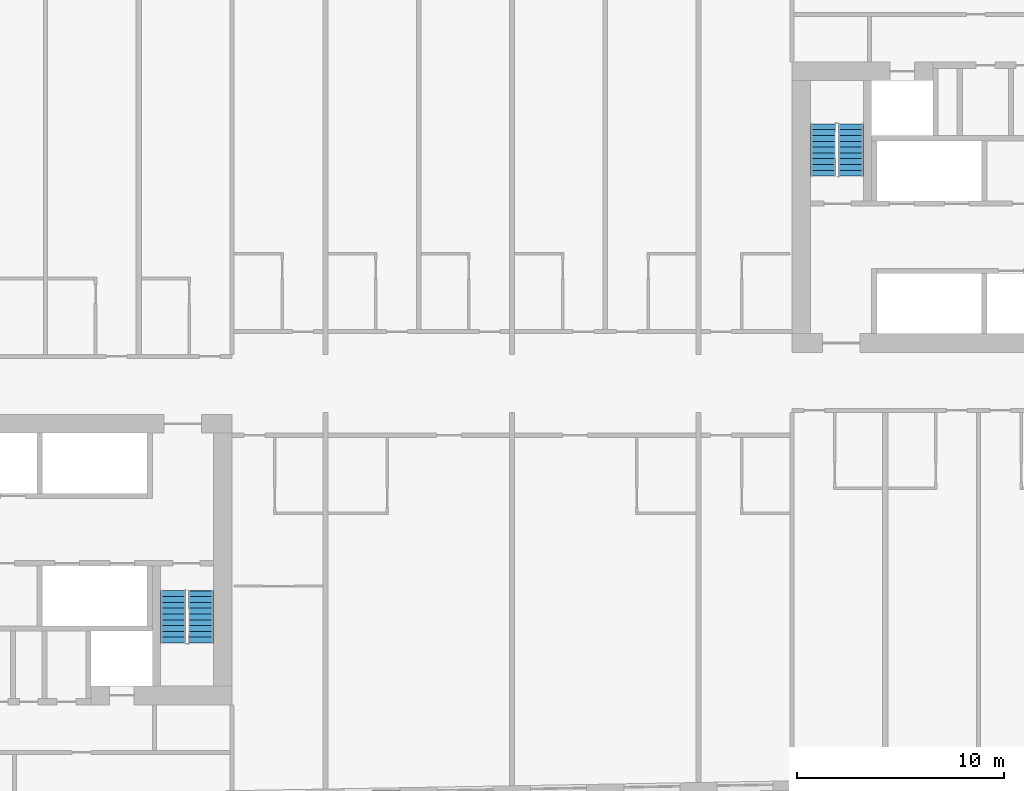
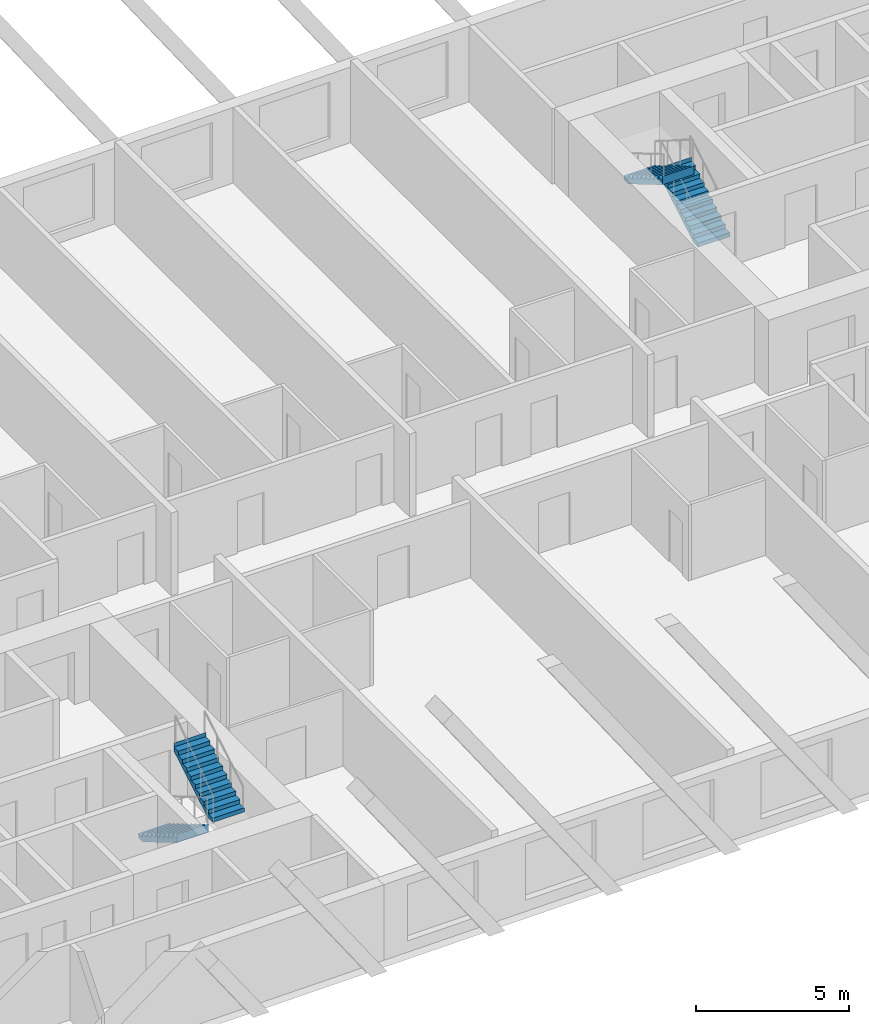
# One storey, part 10 of 13: 4 stair flights, 2 elements without a shape of their own.
"""IFC4 building model written with IfcOpenShell, lengths in metres."""

from ifc_helpers import new_model, si_unit, direction, frame, origin, place, context, subcontext, project, spatial, faceted_brep, material, type_object, element, aggregate, save


model = new_model("IFC4")

# Units and contexts
model_context = context("Model", 3, precision=1e-05, world=origin(), true_north=direction((0.0, 1.0)))
body_context = subcontext(model_context, "Body", "Model", "MODEL_VIEW")
ifc_project = project(units=[si_unit("LENGTHUNIT", "METRE"), si_unit("AREAUNIT", "SQUARE_METRE"), si_unit("VOLUMEUNIT", "CUBIC_METRE"), si_unit("PLANEANGLEUNIT", "RADIAN"), si_unit("MASSUNIT", "GRAM", prefix="KILO")], contexts=[model_context])

# Site, building, storey
site_placement = place(None, origin())
site = spatial("IfcSite", under=ifc_project, at=site_placement, CompositionType="ELEMENT")
building_placement = place(site_placement, origin())
building = spatial("IfcBuilding", under=site, at=building_placement, Name="Kajstack Hotel Tower", CompositionType="ELEMENT")
storey_placement = place(building_placement, frame((0.0, 0.0, 237.5)))
storey = spatial("IfcBuildingStorey", under=building, at=storey_placement, Name="L58", CompositionType="ELEMENT", Elevation=237.5)

# Stair, stair flights
ifc_material = material(Name="Concrete C40/50", Category="concrete")
stair_type = type_object("IfcStairType", Name="Exit stair 1200", PredefinedType="HALF_TURN_STAIR", material=ifc_material)
stair_1_placement = place(storey_placement, origin())
stair_1 = element("IfcStair", 1, at=stair_1_placement, inside=storey, type_object=stair_type, Name="L58 stair W2", PredefinedType="HALF_TURN_STAIR")
stair_flight_type = type_object("IfcStairFlightType", Name="Exit stair flight 1200", PredefinedType="STRAIGHT", material=ifc_material)
stair_flight_1_placement = place(storey_placement, frame((-16.35009765625, -10.0, 0.0), z_axis=(0.0, 0.0, 1.0), x_axis=(0.0, -1.0, 0.0)))
stair_flight_1 = element("IfcStairFlight", 2, at=stair_flight_1_placement, type_object=stair_flight_type, Name="W2 flight 1", NumberOfRisers=10, NumberOfTreads=9, PredefinedType="STRAIGHT", RiserHeight=0.165, TreadLength=0.28, context=body_context, shape_type="Brep", body=[
    faceted_brep([(0.295654296875, -0.60009765625, 0.0), (2.5205078125, -0.60009765625, 1.31103515625), (2.5205078125, -0.60009765625, 1.64990234375), (2.52001953125, -0.60009765625, 1.64990234375), (2.52001953125, -0.60009765625, 1.485107421875), (2.239990234375, -0.60009765625, 1.485107421875), (2.239990234375, -0.60009765625, 1.320068359375), (1.9599609375, -0.60009765625, 1.320068359375), (1.9599609375, -0.60009765625, 1.155029296875), (1.679931640625, -0.60009765625, 1.155029296875), (1.679931640625, -0.60009765625, 0.989990234375), (1.39990234375, -0.60009765625, 0.989990234375), (1.39990234375, -0.60009765625, 0.824951171875), (1.1201171875, -0.60009765625, 0.824951171875), (1.1201171875, -0.60009765625, 0.659912109375), (0.840087890625, -0.60009765625, 0.659912109375), (0.840087890625, -0.60009765625, 0.4951171875), (0.56005859375, -0.60009765625, 0.4951171875), (0.56005859375, -0.60009765625, 0.330078125), (0.280029296875, -0.60009765625, 0.330078125), (0.280029296875, -0.60009765625, 0.1650390625), (-0.00048828125, -0.60009765625, 0.1650390625), (-0.00048828125, -0.60009765625, 0.0), (-0.00048828125, 0.60009765625, 0.0), (-0.00048828125, 0.60009765625, 0.1650390625), (0.280029296875, 0.60009765625, 0.1650390625), (0.280029296875, 0.60009765625, 0.330078125), (0.56005859375, 0.60009765625, 0.330078125), (0.56005859375, 0.60009765625, 0.4951171875), (0.840087890625, 0.60009765625, 0.4951171875), (0.840087890625, 0.60009765625, 0.659912109375), (1.1201171875, 0.60009765625, 0.659912109375), (1.1201171875, 0.60009765625, 0.824951171875), (1.39990234375, 0.60009765625, 0.824951171875), (1.39990234375, 0.60009765625, 0.989990234375), (1.679931640625, 0.60009765625, 0.989990234375), (1.679931640625, 0.60009765625, 1.155029296875), (1.9599609375, 0.60009765625, 1.155029296875), (1.9599609375, 0.60009765625, 1.320068359375), (2.239990234375, 0.60009765625, 1.320068359375), (2.239990234375, 0.60009765625, 1.485107421875), (2.52001953125, 0.60009765625, 1.485107421875), (2.52001953125, 0.60009765625, 1.64990234375), (2.5205078125, 0.60009765625, 1.64990234375), (2.5205078125, 0.60009765625, 1.31103515625), (0.295654296875, 0.60009765625, 0.0), (-0.00048828125, -0.300048828125, 0.1650390625), (-0.00048828125, 0.0, 0.1650390625), (-0.00048828125, 0.300048828125, 0.1650390625), (-0.00048828125, 0.300048828125, 0.0), (-0.00048828125, 0.0, 0.0), (-0.00048828125, -0.300048828125, 0.0), (0.280029296875, -0.300048828125, 0.1650390625), (0.280029296875, 0.0, 0.1650390625), (0.280029296875, 0.300048828125, 0.1650390625), (0.280029296875, -0.300048828125, 0.330078125), (0.280029296875, 0.0, 0.330078125), (0.280029296875, 0.300048828125, 0.330078125), (0.56005859375, -0.300048828125, 0.330078125), (0.56005859375, 0.0, 0.330078125), (0.56005859375, 0.300048828125, 0.330078125), (0.56005859375, -0.300048828125, 0.4951171875), (0.56005859375, 0.0, 0.4951171875), (0.56005859375, 0.300048828125, 0.4951171875), (0.840087890625, -0.300048828125, 0.4951171875), (0.840087890625, 0.0, 0.4951171875), (0.840087890625, 0.300048828125, 0.4951171875), (0.840087890625, -0.300048828125, 0.659912109375), (0.840087890625, 0.0, 0.659912109375), (0.840087890625, 0.300048828125, 0.659912109375), (1.1201171875, -0.300048828125, 0.659912109375), (1.1201171875, 0.0, 0.659912109375), (1.1201171875, 0.300048828125, 0.659912109375), (1.1201171875, -0.300048828125, 0.824951171875), (1.1201171875, 0.0, 0.824951171875), (1.1201171875, 0.300048828125, 0.824951171875), (1.39990234375, -0.300048828125, 0.824951171875), (1.39990234375, 0.0, 0.824951171875), (1.39990234375, 0.300048828125, 0.824951171875), (1.39990234375, -0.300048828125, 0.989990234375), (1.39990234375, 0.0, 0.989990234375), (1.39990234375, 0.300048828125, 0.989990234375), (1.679931640625, -0.300048828125, 0.989990234375), (1.679931640625, 0.0, 0.989990234375), (1.679931640625, 0.300048828125, 0.989990234375), (1.679931640625, -0.300048828125, 1.155029296875), (1.679931640625, 0.0, 1.155029296875), (1.679931640625, 0.300048828125, 1.155029296875), (1.9599609375, -0.300048828125, 1.155029296875), (1.9599609375, 0.0, 1.155029296875), (1.9599609375, 0.300048828125, 1.155029296875), (1.9599609375, -0.300048828125, 1.320068359375), (1.9599609375, 0.0, 1.320068359375), (1.9599609375, 0.300048828125, 1.320068359375), (2.239990234375, -0.300048828125, 1.320068359375), (2.239990234375, 0.0, 1.320068359375), (2.239990234375, 0.300048828125, 1.320068359375), (2.239990234375, -0.300048828125, 1.485107421875), (2.239990234375, 0.0, 1.485107421875), (2.239990234375, 0.300048828125, 1.485107421875), (2.52001953125, -0.300048828125, 1.485107421875), (2.52001953125, 0.0, 1.485107421875), (2.52001953125, 0.300048828125, 1.485107421875), (2.52001953125, -0.300048828125, 1.64990234375), (2.52001953125, 0.0, 1.64990234375), (2.52001953125, 0.300048828125, 1.64990234375), (2.5205078125, -0.300048828125, 1.64990234375), (2.5205078125, 0.0, 1.64990234375), (2.5205078125, 0.300048828125, 1.64990234375), (2.5205078125, -0.300048828125, 1.31103515625), (2.5205078125, 0.0, 1.31103515625), (2.5205078125, 0.300048828125, 1.31103515625), (0.295654296875, -0.300048828125, 0.0), (0.295654296875, 0.0, 0.0), (0.295654296875, 0.300048828125, 0.0)], [[[0, 1, 2, 3, 4, 5, 6, 7, 8, 9, 10, 11, 12, 13, 14, 15, 16, 17, 18, 19, 20, 21, 22]], [[23, 24, 25, 26, 27, 28, 29, 30, 31, 32, 33, 34, 35, 36, 37, 38, 39, 40, 41, 42, 43, 44, 45]], [[21, 46, 47, 48, 24, 23, 49, 50, 51, 22]], [[20, 52, 53, 54, 25, 24, 48, 47, 46, 21]], [[19, 55, 56, 57, 26, 25, 54, 53, 52, 20]], [[18, 58, 59, 60, 27, 26, 57, 56, 55, 19]], [[17, 61, 62, 63, 28, 27, 60, 59, 58, 18]], [[16, 64, 65, 66, 29, 28, 63, 62, 61, 17]], [[15, 67, 68, 69, 30, 29, 66, 65, 64, 16]], [[14, 70, 71, 72, 31, 30, 69, 68, 67, 15]], [[13, 73, 74, 75, 32, 31, 72, 71, 70, 14]], [[12, 76, 77, 78, 33, 32, 75, 74, 73, 13]], [[11, 79, 80, 81, 34, 33, 78, 77, 76, 12]], [[10, 82, 83, 84, 35, 34, 81, 80, 79, 11]], [[9, 85, 86, 87, 36, 35, 84, 83, 82, 10]], [[8, 88, 89, 90, 37, 36, 87, 86, 85, 9]], [[7, 91, 92, 93, 38, 37, 90, 89, 88, 8]], [[6, 94, 95, 96, 39, 38, 93, 92, 91, 7]], [[5, 97, 98, 99, 40, 39, 96, 95, 94, 6]], [[4, 100, 101, 102, 41, 40, 99, 98, 97, 5]], [[3, 103, 104, 105, 42, 41, 102, 101, 100, 4]], [[2, 106, 107, 108, 43, 42, 105, 104, 103, 3]], [[1, 109, 110, 111, 44, 43, 108, 107, 106, 2]], [[0, 112, 113, 114, 45, 44, 111, 110, 109, 1]], [[22, 51, 50, 49, 23, 45, 114, 113, 112, 0]]]),
])
stair_flight_2_placement = place(storey_placement, frame((-15.0, -12.52001953125, 1.64990234375), z_axis=(0.0, 0.0, 1.0), x_axis=(0.0, 1.0, 0.0)))
stair_flight_2 = element("IfcStairFlight", 3, at=stair_flight_2_placement, type_object=stair_flight_type, Name="W2 flight 2", NumberOfRisers=10, NumberOfTreads=9, PredefinedType="STRAIGHT", RiserHeight=0.165, TreadLength=0.28, context=body_context, shape_type="Brep", body=[
    faceted_brep([(0.295654296875, -0.60009765625, 0.0), (2.5205078125, -0.60009765625, 1.31103515625), (2.5205078125, -0.60009765625, 1.64990234375), (2.52001953125, -0.60009765625, 1.64990234375), (2.52001953125, -0.60009765625, 1.485107421875), (2.239990234375, -0.60009765625, 1.485107421875), (2.239990234375, -0.60009765625, 1.320068359375), (1.9599609375, -0.60009765625, 1.320068359375), (1.9599609375, -0.60009765625, 1.155029296875), (1.679931640625, -0.60009765625, 1.155029296875), (1.679931640625, -0.60009765625, 0.989990234375), (1.39990234375, -0.60009765625, 0.989990234375), (1.39990234375, -0.60009765625, 0.824951171875), (1.1201171875, -0.60009765625, 0.824951171875), (1.1201171875, -0.60009765625, 0.659912109375), (0.840087890625, -0.60009765625, 0.659912109375), (0.840087890625, -0.60009765625, 0.4951171875), (0.56005859375, -0.60009765625, 0.4951171875), (0.56005859375, -0.60009765625, 0.330078125), (0.280029296875, -0.60009765625, 0.330078125), (0.280029296875, -0.60009765625, 0.1650390625), (-0.00048828125, -0.60009765625, 0.1650390625), (-0.00048828125, -0.60009765625, 0.0), (-0.00048828125, 0.60009765625, 0.0), (-0.00048828125, 0.60009765625, 0.1650390625), (0.280029296875, 0.60009765625, 0.1650390625), (0.280029296875, 0.60009765625, 0.330078125), (0.56005859375, 0.60009765625, 0.330078125), (0.56005859375, 0.60009765625, 0.4951171875), (0.840087890625, 0.60009765625, 0.4951171875), (0.840087890625, 0.60009765625, 0.659912109375), (1.1201171875, 0.60009765625, 0.659912109375), (1.1201171875, 0.60009765625, 0.824951171875), (1.39990234375, 0.60009765625, 0.824951171875), (1.39990234375, 0.60009765625, 0.989990234375), (1.679931640625, 0.60009765625, 0.989990234375), (1.679931640625, 0.60009765625, 1.155029296875), (1.9599609375, 0.60009765625, 1.155029296875), (1.9599609375, 0.60009765625, 1.320068359375), (2.239990234375, 0.60009765625, 1.320068359375), (2.239990234375, 0.60009765625, 1.485107421875), (2.52001953125, 0.60009765625, 1.485107421875), (2.52001953125, 0.60009765625, 1.64990234375), (2.5205078125, 0.60009765625, 1.64990234375), (2.5205078125, 0.60009765625, 1.31103515625), (0.295654296875, 0.60009765625, 0.0), (-0.00048828125, -0.300048828125, 0.1650390625), (-0.00048828125, 0.0, 0.1650390625), (-0.00048828125, 0.300048828125, 0.1650390625), (-0.00048828125, 0.300048828125, 0.0), (-0.00048828125, 0.0, 0.0), (-0.00048828125, -0.300048828125, 0.0), (0.280029296875, -0.300048828125, 0.1650390625), (0.280029296875, 0.0, 0.1650390625), (0.280029296875, 0.300048828125, 0.1650390625), (0.280029296875, -0.300048828125, 0.330078125), (0.280029296875, 0.0, 0.330078125), (0.280029296875, 0.300048828125, 0.330078125), (0.56005859375, -0.300048828125, 0.330078125), (0.56005859375, 0.0, 0.330078125), (0.56005859375, 0.300048828125, 0.330078125), (0.56005859375, -0.300048828125, 0.4951171875), (0.56005859375, 0.0, 0.4951171875), (0.56005859375, 0.300048828125, 0.4951171875), (0.840087890625, -0.300048828125, 0.4951171875), (0.840087890625, 0.0, 0.4951171875), (0.840087890625, 0.300048828125, 0.4951171875), (0.840087890625, -0.300048828125, 0.659912109375), (0.840087890625, 0.0, 0.659912109375), (0.840087890625, 0.300048828125, 0.659912109375), (1.1201171875, -0.300048828125, 0.659912109375), (1.1201171875, 0.0, 0.659912109375), (1.1201171875, 0.300048828125, 0.659912109375), (1.1201171875, -0.300048828125, 0.824951171875), (1.1201171875, 0.0, 0.824951171875), (1.1201171875, 0.300048828125, 0.824951171875), (1.39990234375, -0.300048828125, 0.824951171875), (1.39990234375, 0.0, 0.824951171875), (1.39990234375, 0.300048828125, 0.824951171875), (1.39990234375, -0.300048828125, 0.989990234375), (1.39990234375, 0.0, 0.989990234375), (1.39990234375, 0.300048828125, 0.989990234375), (1.679931640625, -0.300048828125, 0.989990234375), (1.679931640625, 0.0, 0.989990234375), (1.679931640625, 0.300048828125, 0.989990234375), (1.679931640625, -0.300048828125, 1.155029296875), (1.679931640625, 0.0, 1.155029296875), (1.679931640625, 0.300048828125, 1.155029296875), (1.9599609375, -0.300048828125, 1.155029296875), (1.9599609375, 0.0, 1.155029296875), (1.9599609375, 0.300048828125, 1.155029296875), (1.9599609375, -0.300048828125, 1.320068359375), (1.9599609375, 0.0, 1.320068359375), (1.9599609375, 0.300048828125, 1.320068359375), (2.239990234375, -0.300048828125, 1.320068359375), (2.239990234375, 0.0, 1.320068359375), (2.239990234375, 0.300048828125, 1.320068359375), (2.239990234375, -0.300048828125, 1.485107421875), (2.239990234375, 0.0, 1.485107421875), (2.239990234375, 0.300048828125, 1.485107421875), (2.52001953125, -0.300048828125, 1.485107421875), (2.52001953125, 0.0, 1.485107421875), (2.52001953125, 0.300048828125, 1.485107421875), (2.52001953125, -0.300048828125, 1.64990234375), (2.52001953125, 0.0, 1.64990234375), (2.52001953125, 0.300048828125, 1.64990234375), (2.5205078125, -0.300048828125, 1.64990234375), (2.5205078125, 0.0, 1.64990234375), (2.5205078125, 0.300048828125, 1.64990234375), (2.5205078125, -0.300048828125, 1.31103515625), (2.5205078125, 0.0, 1.31103515625), (2.5205078125, 0.300048828125, 1.31103515625), (0.295654296875, -0.300048828125, 0.0), (0.295654296875, 0.0, 0.0), (0.295654296875, 0.300048828125, 0.0)], [[[0, 1, 2, 3, 4, 5, 6, 7, 8, 9, 10, 11, 12, 13, 14, 15, 16, 17, 18, 19, 20, 21, 22]], [[23, 24, 25, 26, 27, 28, 29, 30, 31, 32, 33, 34, 35, 36, 37, 38, 39, 40, 41, 42, 43, 44, 45]], [[21, 46, 47, 48, 24, 23, 49, 50, 51, 22]], [[20, 52, 53, 54, 25, 24, 48, 47, 46, 21]], [[19, 55, 56, 57, 26, 25, 54, 53, 52, 20]], [[18, 58, 59, 60, 27, 26, 57, 56, 55, 19]], [[17, 61, 62, 63, 28, 27, 60, 59, 58, 18]], [[16, 64, 65, 66, 29, 28, 63, 62, 61, 17]], [[15, 67, 68, 69, 30, 29, 66, 65, 64, 16]], [[14, 70, 71, 72, 31, 30, 69, 68, 67, 15]], [[13, 73, 74, 75, 32, 31, 72, 71, 70, 14]], [[12, 76, 77, 78, 33, 32, 75, 74, 73, 13]], [[11, 79, 80, 81, 34, 33, 78, 77, 76, 12]], [[10, 82, 83, 84, 35, 34, 81, 80, 79, 11]], [[9, 85, 86, 87, 36, 35, 84, 83, 82, 10]], [[8, 88, 89, 90, 37, 36, 87, 86, 85, 9]], [[7, 91, 92, 93, 38, 37, 90, 89, 88, 8]], [[6, 94, 95, 96, 39, 38, 93, 92, 91, 7]], [[5, 97, 98, 99, 40, 39, 96, 95, 94, 6]], [[4, 100, 101, 102, 41, 40, 99, 98, 97, 5]], [[3, 103, 104, 105, 42, 41, 102, 101, 100, 4]], [[2, 106, 107, 108, 43, 42, 105, 104, 103, 3]], [[1, 109, 110, 111, 44, 43, 108, 107, 106, 2]], [[0, 112, 113, 114, 45, 44, 111, 110, 109, 1]], [[22, 51, 50, 49, 23, 45, 114, 113, 112, 0]]]),
])
aggregate(stair_1, [stair_flight_1, stair_flight_2])

stair_2_placement = place(storey_placement, origin())
stair_2 = element("IfcStair", 4, at=stair_2_placement, inside=storey, type_object=stair_type, Name="L58 stair E2", PredefinedType="HALF_TURN_STAIR")
stair_flight_3_placement = place(storey_placement, frame((16.35009765625, 10.0, 0.0), z_axis=(0.0, 0.0, 1.0), x_axis=(0.0, 1.0, 0.0)))
stair_flight_3 = element("IfcStairFlight", 5, at=stair_flight_3_placement, type_object=stair_flight_type, Name="E2 flight 1", NumberOfRisers=10, NumberOfTreads=9, PredefinedType="STRAIGHT", RiserHeight=0.165, TreadLength=0.28, context=body_context, shape_type="Brep", body=[
    faceted_brep([(0.295654296875, -0.60009765625, 0.0), (2.5205078125, -0.60009765625, 1.31103515625), (2.5205078125, -0.60009765625, 1.64990234375), (2.52001953125, -0.60009765625, 1.64990234375), (2.52001953125, -0.60009765625, 1.485107421875), (2.239990234375, -0.60009765625, 1.485107421875), (2.239990234375, -0.60009765625, 1.320068359375), (1.9599609375, -0.60009765625, 1.320068359375), (1.9599609375, -0.60009765625, 1.155029296875), (1.679931640625, -0.60009765625, 1.155029296875), (1.679931640625, -0.60009765625, 0.989990234375), (1.39990234375, -0.60009765625, 0.989990234375), (1.39990234375, -0.60009765625, 0.824951171875), (1.1201171875, -0.60009765625, 0.824951171875), (1.1201171875, -0.60009765625, 0.659912109375), (0.840087890625, -0.60009765625, 0.659912109375), (0.840087890625, -0.60009765625, 0.4951171875), (0.56005859375, -0.60009765625, 0.4951171875), (0.56005859375, -0.60009765625, 0.330078125), (0.280029296875, -0.60009765625, 0.330078125), (0.280029296875, -0.60009765625, 0.1650390625), (-0.00048828125, -0.60009765625, 0.1650390625), (-0.00048828125, -0.60009765625, 0.0), (-0.00048828125, 0.60009765625, 0.0), (-0.00048828125, 0.60009765625, 0.1650390625), (0.280029296875, 0.60009765625, 0.1650390625), (0.280029296875, 0.60009765625, 0.330078125), (0.56005859375, 0.60009765625, 0.330078125), (0.56005859375, 0.60009765625, 0.4951171875), (0.840087890625, 0.60009765625, 0.4951171875), (0.840087890625, 0.60009765625, 0.659912109375), (1.1201171875, 0.60009765625, 0.659912109375), (1.1201171875, 0.60009765625, 0.824951171875), (1.39990234375, 0.60009765625, 0.824951171875), (1.39990234375, 0.60009765625, 0.989990234375), (1.679931640625, 0.60009765625, 0.989990234375), (1.679931640625, 0.60009765625, 1.155029296875), (1.9599609375, 0.60009765625, 1.155029296875), (1.9599609375, 0.60009765625, 1.320068359375), (2.239990234375, 0.60009765625, 1.320068359375), (2.239990234375, 0.60009765625, 1.485107421875), (2.52001953125, 0.60009765625, 1.485107421875), (2.52001953125, 0.60009765625, 1.64990234375), (2.5205078125, 0.60009765625, 1.64990234375), (2.5205078125, 0.60009765625, 1.31103515625), (0.295654296875, 0.60009765625, 0.0), (-0.00048828125, -0.300048828125, 0.1650390625), (-0.00048828125, 0.0, 0.1650390625), (-0.00048828125, 0.300048828125, 0.1650390625), (-0.00048828125, 0.300048828125, 0.0), (-0.00048828125, 0.0, 0.0), (-0.00048828125, -0.300048828125, 0.0), (0.280029296875, -0.300048828125, 0.1650390625), (0.280029296875, 0.0, 0.1650390625), (0.280029296875, 0.300048828125, 0.1650390625), (0.280029296875, -0.300048828125, 0.330078125), (0.280029296875, 0.0, 0.330078125), (0.280029296875, 0.300048828125, 0.330078125), (0.56005859375, -0.300048828125, 0.330078125), (0.56005859375, 0.0, 0.330078125), (0.56005859375, 0.300048828125, 0.330078125), (0.56005859375, -0.300048828125, 0.4951171875), (0.56005859375, 0.0, 0.4951171875), (0.56005859375, 0.300048828125, 0.4951171875), (0.840087890625, -0.300048828125, 0.4951171875), (0.840087890625, 0.0, 0.4951171875), (0.840087890625, 0.300048828125, 0.4951171875), (0.840087890625, -0.300048828125, 0.659912109375), (0.840087890625, 0.0, 0.659912109375), (0.840087890625, 0.300048828125, 0.659912109375), (1.1201171875, -0.300048828125, 0.659912109375), (1.1201171875, 0.0, 0.659912109375), (1.1201171875, 0.300048828125, 0.659912109375), (1.1201171875, -0.300048828125, 0.824951171875), (1.1201171875, 0.0, 0.824951171875), (1.1201171875, 0.300048828125, 0.824951171875), (1.39990234375, -0.300048828125, 0.824951171875), (1.39990234375, 0.0, 0.824951171875), (1.39990234375, 0.300048828125, 0.824951171875), (1.39990234375, -0.300048828125, 0.989990234375), (1.39990234375, 0.0, 0.989990234375), (1.39990234375, 0.300048828125, 0.989990234375), (1.679931640625, -0.300048828125, 0.989990234375), (1.679931640625, 0.0, 0.989990234375), (1.679931640625, 0.300048828125, 0.989990234375), (1.679931640625, -0.300048828125, 1.155029296875), (1.679931640625, 0.0, 1.155029296875), (1.679931640625, 0.300048828125, 1.155029296875), (1.9599609375, -0.300048828125, 1.155029296875), (1.9599609375, 0.0, 1.155029296875), (1.9599609375, 0.300048828125, 1.155029296875), (1.9599609375, -0.300048828125, 1.320068359375), (1.9599609375, 0.0, 1.320068359375), (1.9599609375, 0.300048828125, 1.320068359375), (2.239990234375, -0.300048828125, 1.320068359375), (2.239990234375, 0.0, 1.320068359375), (2.239990234375, 0.300048828125, 1.320068359375), (2.239990234375, -0.300048828125, 1.485107421875), (2.239990234375, 0.0, 1.485107421875), (2.239990234375, 0.300048828125, 1.485107421875), (2.52001953125, -0.300048828125, 1.485107421875), (2.52001953125, 0.0, 1.485107421875), (2.52001953125, 0.300048828125, 1.485107421875), (2.52001953125, -0.300048828125, 1.64990234375), (2.52001953125, 0.0, 1.64990234375), (2.52001953125, 0.300048828125, 1.64990234375), (2.5205078125, -0.300048828125, 1.64990234375), (2.5205078125, 0.0, 1.64990234375), (2.5205078125, 0.300048828125, 1.64990234375), (2.5205078125, -0.300048828125, 1.31103515625), (2.5205078125, 0.0, 1.31103515625), (2.5205078125, 0.300048828125, 1.31103515625), (0.295654296875, -0.300048828125, 0.0), (0.295654296875, 0.0, 0.0), (0.295654296875, 0.300048828125, 0.0)], [[[0, 1, 2, 3, 4, 5, 6, 7, 8, 9, 10, 11, 12, 13, 14, 15, 16, 17, 18, 19, 20, 21, 22]], [[23, 24, 25, 26, 27, 28, 29, 30, 31, 32, 33, 34, 35, 36, 37, 38, 39, 40, 41, 42, 43, 44, 45]], [[21, 46, 47, 48, 24, 23, 49, 50, 51, 22]], [[20, 52, 53, 54, 25, 24, 48, 47, 46, 21]], [[19, 55, 56, 57, 26, 25, 54, 53, 52, 20]], [[18, 58, 59, 60, 27, 26, 57, 56, 55, 19]], [[17, 61, 62, 63, 28, 27, 60, 59, 58, 18]], [[16, 64, 65, 66, 29, 28, 63, 62, 61, 17]], [[15, 67, 68, 69, 30, 29, 66, 65, 64, 16]], [[14, 70, 71, 72, 31, 30, 69, 68, 67, 15]], [[13, 73, 74, 75, 32, 31, 72, 71, 70, 14]], [[12, 76, 77, 78, 33, 32, 75, 74, 73, 13]], [[11, 79, 80, 81, 34, 33, 78, 77, 76, 12]], [[10, 82, 83, 84, 35, 34, 81, 80, 79, 11]], [[9, 85, 86, 87, 36, 35, 84, 83, 82, 10]], [[8, 88, 89, 90, 37, 36, 87, 86, 85, 9]], [[7, 91, 92, 93, 38, 37, 90, 89, 88, 8]], [[6, 94, 95, 96, 39, 38, 93, 92, 91, 7]], [[5, 97, 98, 99, 40, 39, 96, 95, 94, 6]], [[4, 100, 101, 102, 41, 40, 99, 98, 97, 5]], [[3, 103, 104, 105, 42, 41, 102, 101, 100, 4]], [[2, 106, 107, 108, 43, 42, 105, 104, 103, 3]], [[1, 109, 110, 111, 44, 43, 108, 107, 106, 2]], [[0, 112, 113, 114, 45, 44, 111, 110, 109, 1]], [[22, 51, 50, 49, 23, 45, 114, 113, 112, 0]]]),
])
stair_flight_4_placement = place(storey_placement, frame((15.0, 12.52001953125, 1.64990234375), z_axis=(0.0, 0.0, 1.0), x_axis=(0.0, -1.0, 0.0)))
stair_flight_4 = element("IfcStairFlight", 6, at=stair_flight_4_placement, type_object=stair_flight_type, Name="E2 flight 2", NumberOfRisers=10, NumberOfTreads=9, PredefinedType="STRAIGHT", RiserHeight=0.165, TreadLength=0.28, context=body_context, shape_type="Brep", body=[
    faceted_brep([(0.295654296875, -0.60009765625, 0.0), (2.5205078125, -0.60009765625, 1.31103515625), (2.5205078125, -0.60009765625, 1.64990234375), (2.52001953125, -0.60009765625, 1.64990234375), (2.52001953125, -0.60009765625, 1.485107421875), (2.239990234375, -0.60009765625, 1.485107421875), (2.239990234375, -0.60009765625, 1.320068359375), (1.9599609375, -0.60009765625, 1.320068359375), (1.9599609375, -0.60009765625, 1.155029296875), (1.679931640625, -0.60009765625, 1.155029296875), (1.679931640625, -0.60009765625, 0.989990234375), (1.39990234375, -0.60009765625, 0.989990234375), (1.39990234375, -0.60009765625, 0.824951171875), (1.1201171875, -0.60009765625, 0.824951171875), (1.1201171875, -0.60009765625, 0.659912109375), (0.840087890625, -0.60009765625, 0.659912109375), (0.840087890625, -0.60009765625, 0.4951171875), (0.56005859375, -0.60009765625, 0.4951171875), (0.56005859375, -0.60009765625, 0.330078125), (0.280029296875, -0.60009765625, 0.330078125), (0.280029296875, -0.60009765625, 0.1650390625), (-0.00048828125, -0.60009765625, 0.1650390625), (-0.00048828125, -0.60009765625, 0.0), (-0.00048828125, 0.60009765625, 0.0), (-0.00048828125, 0.60009765625, 0.1650390625), (0.280029296875, 0.60009765625, 0.1650390625), (0.280029296875, 0.60009765625, 0.330078125), (0.56005859375, 0.60009765625, 0.330078125), (0.56005859375, 0.60009765625, 0.4951171875), (0.840087890625, 0.60009765625, 0.4951171875), (0.840087890625, 0.60009765625, 0.659912109375), (1.1201171875, 0.60009765625, 0.659912109375), (1.1201171875, 0.60009765625, 0.824951171875), (1.39990234375, 0.60009765625, 0.824951171875), (1.39990234375, 0.60009765625, 0.989990234375), (1.679931640625, 0.60009765625, 0.989990234375), (1.679931640625, 0.60009765625, 1.155029296875), (1.9599609375, 0.60009765625, 1.155029296875), (1.9599609375, 0.60009765625, 1.320068359375), (2.239990234375, 0.60009765625, 1.320068359375), (2.239990234375, 0.60009765625, 1.485107421875), (2.52001953125, 0.60009765625, 1.485107421875), (2.52001953125, 0.60009765625, 1.64990234375), (2.5205078125, 0.60009765625, 1.64990234375), (2.5205078125, 0.60009765625, 1.31103515625), (0.295654296875, 0.60009765625, 0.0), (-0.00048828125, -0.300048828125, 0.1650390625), (-0.00048828125, 0.0, 0.1650390625), (-0.00048828125, 0.300048828125, 0.1650390625), (-0.00048828125, 0.300048828125, 0.0), (-0.00048828125, 0.0, 0.0), (-0.00048828125, -0.300048828125, 0.0), (0.280029296875, -0.300048828125, 0.1650390625), (0.280029296875, 0.0, 0.1650390625), (0.280029296875, 0.300048828125, 0.1650390625), (0.280029296875, -0.300048828125, 0.330078125), (0.280029296875, 0.0, 0.330078125), (0.280029296875, 0.300048828125, 0.330078125), (0.56005859375, -0.300048828125, 0.330078125), (0.56005859375, 0.0, 0.330078125), (0.56005859375, 0.300048828125, 0.330078125), (0.56005859375, -0.300048828125, 0.4951171875), (0.56005859375, 0.0, 0.4951171875), (0.56005859375, 0.300048828125, 0.4951171875), (0.840087890625, -0.300048828125, 0.4951171875), (0.840087890625, 0.0, 0.4951171875), (0.840087890625, 0.300048828125, 0.4951171875), (0.840087890625, -0.300048828125, 0.659912109375), (0.840087890625, 0.0, 0.659912109375), (0.840087890625, 0.300048828125, 0.659912109375), (1.1201171875, -0.300048828125, 0.659912109375), (1.1201171875, 0.0, 0.659912109375), (1.1201171875, 0.300048828125, 0.659912109375), (1.1201171875, -0.300048828125, 0.824951171875), (1.1201171875, 0.0, 0.824951171875), (1.1201171875, 0.300048828125, 0.824951171875), (1.39990234375, -0.300048828125, 0.824951171875), (1.39990234375, 0.0, 0.824951171875), (1.39990234375, 0.300048828125, 0.824951171875), (1.39990234375, -0.300048828125, 0.989990234375), (1.39990234375, 0.0, 0.989990234375), (1.39990234375, 0.300048828125, 0.989990234375), (1.679931640625, -0.300048828125, 0.989990234375), (1.679931640625, 0.0, 0.989990234375), (1.679931640625, 0.300048828125, 0.989990234375), (1.679931640625, -0.300048828125, 1.155029296875), (1.679931640625, 0.0, 1.155029296875), (1.679931640625, 0.300048828125, 1.155029296875), (1.9599609375, -0.300048828125, 1.155029296875), (1.9599609375, 0.0, 1.155029296875), (1.9599609375, 0.300048828125, 1.155029296875), (1.9599609375, -0.300048828125, 1.320068359375), (1.9599609375, 0.0, 1.320068359375), (1.9599609375, 0.300048828125, 1.320068359375), (2.239990234375, -0.300048828125, 1.320068359375), (2.239990234375, 0.0, 1.320068359375), (2.239990234375, 0.300048828125, 1.320068359375), (2.239990234375, -0.300048828125, 1.485107421875), (2.239990234375, 0.0, 1.485107421875), (2.239990234375, 0.300048828125, 1.485107421875), (2.52001953125, -0.300048828125, 1.485107421875), (2.52001953125, 0.0, 1.485107421875), (2.52001953125, 0.300048828125, 1.485107421875), (2.52001953125, -0.300048828125, 1.64990234375), (2.52001953125, 0.0, 1.64990234375), (2.52001953125, 0.300048828125, 1.64990234375), (2.5205078125, -0.300048828125, 1.64990234375), (2.5205078125, 0.0, 1.64990234375), (2.5205078125, 0.300048828125, 1.64990234375), (2.5205078125, -0.300048828125, 1.31103515625), (2.5205078125, 0.0, 1.31103515625), (2.5205078125, 0.300048828125, 1.31103515625), (0.295654296875, -0.300048828125, 0.0), (0.295654296875, 0.0, 0.0), (0.295654296875, 0.300048828125, 0.0)], [[[0, 1, 2, 3, 4, 5, 6, 7, 8, 9, 10, 11, 12, 13, 14, 15, 16, 17, 18, 19, 20, 21, 22]], [[23, 24, 25, 26, 27, 28, 29, 30, 31, 32, 33, 34, 35, 36, 37, 38, 39, 40, 41, 42, 43, 44, 45]], [[21, 46, 47, 48, 24, 23, 49, 50, 51, 22]], [[20, 52, 53, 54, 25, 24, 48, 47, 46, 21]], [[19, 55, 56, 57, 26, 25, 54, 53, 52, 20]], [[18, 58, 59, 60, 27, 26, 57, 56, 55, 19]], [[17, 61, 62, 63, 28, 27, 60, 59, 58, 18]], [[16, 64, 65, 66, 29, 28, 63, 62, 61, 17]], [[15, 67, 68, 69, 30, 29, 66, 65, 64, 16]], [[14, 70, 71, 72, 31, 30, 69, 68, 67, 15]], [[13, 73, 74, 75, 32, 31, 72, 71, 70, 14]], [[12, 76, 77, 78, 33, 32, 75, 74, 73, 13]], [[11, 79, 80, 81, 34, 33, 78, 77, 76, 12]], [[10, 82, 83, 84, 35, 34, 81, 80, 79, 11]], [[9, 85, 86, 87, 36, 35, 84, 83, 82, 10]], [[8, 88, 89, 90, 37, 36, 87, 86, 85, 9]], [[7, 91, 92, 93, 38, 37, 90, 89, 88, 8]], [[6, 94, 95, 96, 39, 38, 93, 92, 91, 7]], [[5, 97, 98, 99, 40, 39, 96, 95, 94, 6]], [[4, 100, 101, 102, 41, 40, 99, 98, 97, 5]], [[3, 103, 104, 105, 42, 41, 102, 101, 100, 4]], [[2, 106, 107, 108, 43, 42, 105, 104, 103, 3]], [[1, 109, 110, 111, 44, 43, 108, 107, 106, 2]], [[0, 112, 113, 114, 45, 44, 111, 110, 109, 1]], [[22, 51, 50, 49, 23, 45, 114, 113, 112, 0]]]),
])
aggregate(stair_2, [stair_flight_3, stair_flight_4])

save(model, "model.ifc")
